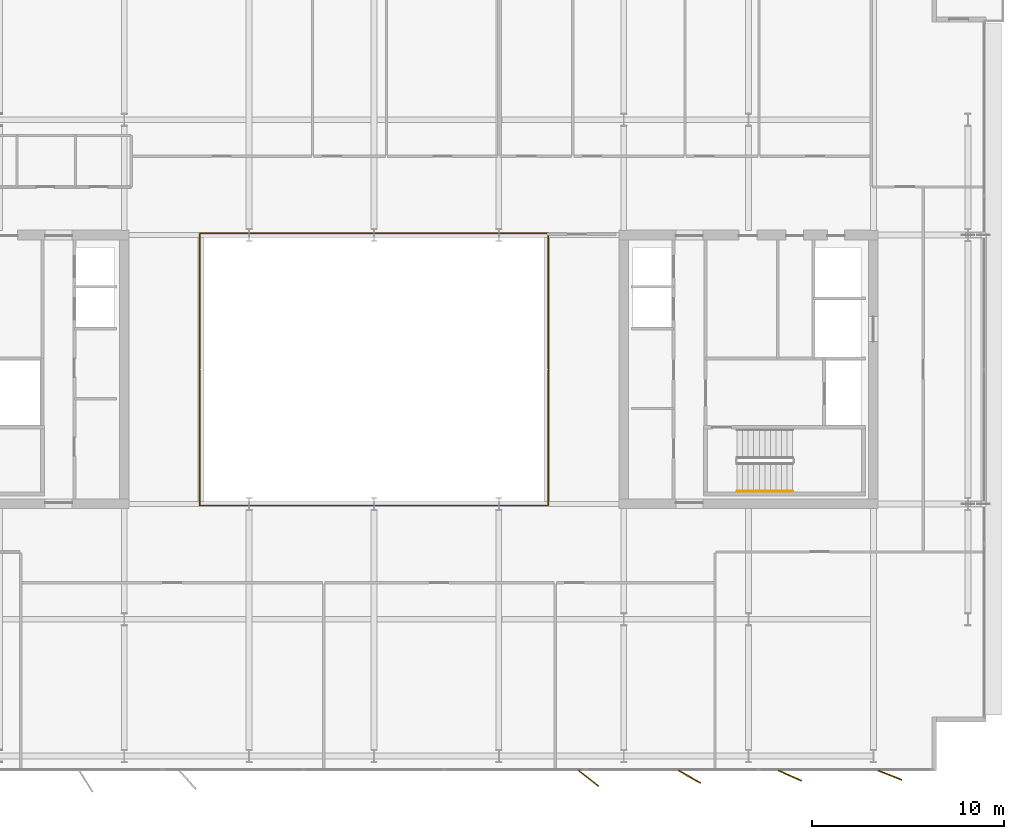
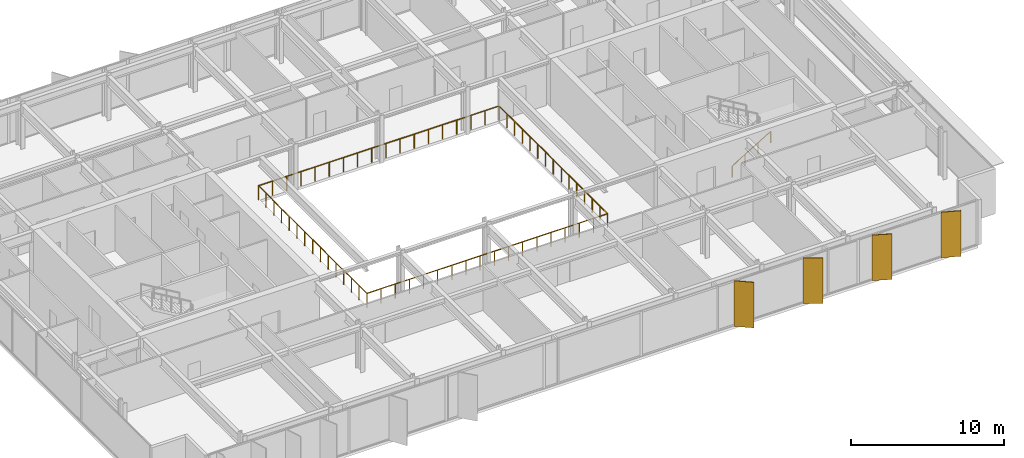
# One storey, part 17 of 19: 4 shading devices, 3 railings.
"""IFC4 building model written with IfcOpenShell, lengths in metres."""

from ifc_helpers import new_model, si_unit, direction, frame, origin, origin_2d, place, context, subcontext, project, spatial, rectangle, circle, extrude, material, layer, layer_set, type_object, element, save


model = new_model("IFC4")

# Units and contexts
model_context = context("Model", 3, precision=1e-05, world=origin(), true_north=direction((0.0, 1.0)))
body_context = subcontext(model_context, "Body", "Model", "MODEL_VIEW")
ifc_project = project(units=[si_unit("LENGTHUNIT", "METRE"), si_unit("AREAUNIT", "SQUARE_METRE"), si_unit("VOLUMEUNIT", "CUBIC_METRE"), si_unit("PLANEANGLEUNIT", "RADIAN"), si_unit("MASSUNIT", "GRAM", prefix="KILO")], contexts=[model_context])

# Site, building, storey
site_placement = place(None, origin())
site = spatial("IfcSite", under=ifc_project, at=site_placement, CompositionType="ELEMENT")
building_placement = place(site_placement, origin())
building = spatial("IfcBuilding", under=site, at=building_placement, Name="Putna Gate Headquarters", CompositionType="ELEMENT")
storey_placement = place(building_placement, frame((0.0, 0.0, 259.39990234375)))
storey = spatial("IfcBuildingStorey", under=building, at=storey_placement, Name="L65", CompositionType="ELEMENT", Elevation=259.39990234375)

# Railings
ifc_material_1 = material(Name="Anodised bronze and laminated glass atrium balustrade", Category="glass")
railing_type_1 = type_object("IfcRailingType", Name="RAIL-ATRIUM-GUARD-1150", PredefinedType="GUARDRAIL", material=ifc_material_1)
railing_1_placement = place(storey_placement, frame((29.919921875, 25.969970703125, 0.0)))
element("IfcRailing", 1, at=railing_1_placement, inside=storey, type_object=railing_type_1, Name="L65 Central Atrium Glazed Balustrade South", PredefinedType="GUARDRAIL", context=body_context, shape_type="SweptSolid", body=[
    extrude(circle(Radius=0.02392578125, at=origin_2d()), frame((0.0, 0.0, 1.1259765625), z_axis=(0.0, -1.0, 0.0), x_axis=(1.0, 0.0, 0.0)), (0.0, 0.0, 1.0), 7.050048828125),
    extrude(circle(Radius=0.02392578125, at=origin_2d()), frame((0.0, -7.050048828125, 1.1259765625), z_axis=(1.0, 0.0, 0.0), x_axis=(0.0, 1.0, 0.0)), (0.0, 0.0, 1.0), 18.16015625),
    extrude(circle(Radius=0.02392578125, at=origin_2d()), frame((18.16015625, -7.050048828125, 1.1259765625), z_axis=(0.0, 1.0, 0.0), x_axis=(-1.0, 0.0, 0.0)), (0.0, 0.0, 1.0), 7.050048828125),
    extrude(circle(Radius=0.02099609375, at=origin_2d()), origin(), (0.0, 0.0, 1.0), 1.101806640625),
    extrude(circle(Radius=0.02099609375, at=origin_2d()), frame((0.0, -1.007080078125, 0.0)), (0.0, 0.0, 1.0), 1.101806640625),
    extrude(circle(Radius=0.02099609375, at=origin_2d()), frame((0.0, -2.014404296875, 0.0)), (0.0, 0.0, 1.0), 1.101806640625),
    extrude(circle(Radius=0.02099609375, at=origin_2d()), frame((0.0, -3.021484375, 0.0)), (0.0, 0.0, 1.0), 1.101806640625),
    extrude(circle(Radius=0.02099609375, at=origin_2d()), frame((0.0, -4.028564453125, 0.0)), (0.0, 0.0, 1.0), 1.101806640625),
    extrude(circle(Radius=0.02099609375, at=origin_2d()), frame((0.0, -5.03564453125, 0.0)), (0.0, 0.0, 1.0), 1.101806640625),
    extrude(circle(Radius=0.02099609375, at=origin_2d()), frame((0.0, -6.04296875, 0.0)), (0.0, 0.0, 1.0), 1.101806640625),
    extrude(circle(Radius=0.02099609375, at=origin_2d()), frame((0.0, -7.050048828125, 0.0)), (0.0, 0.0, 1.0), 1.101806640625),
    extrude(circle(Radius=0.02099609375, at=origin_2d()), frame((1.068359375, -7.050048828125, 0.0)), (0.0, 0.0, 1.0), 1.101806640625),
    extrude(circle(Radius=0.02099609375, at=origin_2d()), frame((2.136474609375, -7.050048828125, 0.0)), (0.0, 0.0, 1.0), 1.101806640625),
    extrude(circle(Radius=0.02099609375, at=origin_2d()), frame((3.204833984375, -7.050048828125, 0.0)), (0.0, 0.0, 1.0), 1.101806640625),
    extrude(circle(Radius=0.02099609375, at=origin_2d()), frame((4.27294921875, -7.050048828125, 0.0)), (0.0, 0.0, 1.0), 1.101806640625),
    extrude(circle(Radius=0.02099609375, at=origin_2d()), frame((5.34130859375, -7.050048828125, 0.0)), (0.0, 0.0, 1.0), 1.101806640625),
    extrude(circle(Radius=0.02099609375, at=origin_2d()), frame((6.409423828125, -7.050048828125, 0.0)), (0.0, 0.0, 1.0), 1.101806640625),
    extrude(circle(Radius=0.02099609375, at=origin_2d()), frame((7.477783203125, -7.050048828125, 0.0)), (0.0, 0.0, 1.0), 1.101806640625),
    extrude(circle(Radius=0.02099609375, at=origin_2d()), frame((8.5458984375, -7.050048828125, 0.0)), (0.0, 0.0, 1.0), 1.101806640625),
    extrude(circle(Radius=0.02099609375, at=origin_2d()), frame((9.6142578125, -7.050048828125, 0.0)), (0.0, 0.0, 1.0), 1.101806640625),
    extrude(circle(Radius=0.02099609375, at=origin_2d()), frame((10.682373046875, -7.050048828125, 0.0)), (0.0, 0.0, 1.0), 1.101806640625),
    extrude(circle(Radius=0.02099609375, at=origin_2d()), frame((11.750732421875, -7.050048828125, 0.0)), (0.0, 0.0, 1.0), 1.101806640625),
    extrude(circle(Radius=0.02099609375, at=origin_2d()), frame((12.81884765625, -7.050048828125, 0.0)), (0.0, 0.0, 1.0), 1.101806640625),
    extrude(circle(Radius=0.02099609375, at=origin_2d()), frame((13.88720703125, -7.050048828125, 0.0)), (0.0, 0.0, 1.0), 1.101806640625),
    extrude(circle(Radius=0.02099609375, at=origin_2d()), frame((14.955322265625, -7.050048828125, 0.0)), (0.0, 0.0, 1.0), 1.101806640625),
    extrude(circle(Radius=0.02099609375, at=origin_2d()), frame((16.023681640625, -7.050048828125, 0.0)), (0.0, 0.0, 1.0), 1.101806640625),
    extrude(circle(Radius=0.02099609375, at=origin_2d()), frame((17.091796875, -7.050048828125, 0.0)), (0.0, 0.0, 1.0), 1.101806640625),
    extrude(circle(Radius=0.02099609375, at=origin_2d()), frame((18.16015625, -7.050048828125, 0.0)), (0.0, 0.0, 1.0), 1.101806640625),
    extrude(circle(Radius=0.02099609375, at=origin_2d()), frame((18.16015625, -6.04296875, 0.0)), (0.0, 0.0, 1.0), 1.101806640625),
    extrude(circle(Radius=0.02099609375, at=origin_2d()), frame((18.16015625, -5.03564453125, 0.0)), (0.0, 0.0, 1.0), 1.101806640625),
    extrude(circle(Radius=0.02099609375, at=origin_2d()), frame((18.16015625, -4.028564453125, 0.0)), (0.0, 0.0, 1.0), 1.101806640625),
    extrude(circle(Radius=0.02099609375, at=origin_2d()), frame((18.16015625, -3.021484375, 0.0)), (0.0, 0.0, 1.0), 1.101806640625),
    extrude(circle(Radius=0.02099609375, at=origin_2d()), frame((18.16015625, -2.014404296875, 0.0)), (0.0, 0.0, 1.0), 1.101806640625),
    extrude(circle(Radius=0.02099609375, at=origin_2d()), frame((18.16015625, -1.007080078125, 0.0)), (0.0, 0.0, 1.0), 1.101806640625),
    extrude(circle(Radius=0.02099609375, at=origin_2d()), frame((18.16015625, 0.0, 0.0)), (0.0, 0.0, 1.0), 1.101806640625),
])
railing_2_placement = place(storey_placement, frame((48.080078125, 26.030029296875, 0.0)))
element("IfcRailing", 2, at=railing_2_placement, inside=storey, type_object=railing_type_1, Name="L65 Central Atrium Glazed Balustrade North", PredefinedType="GUARDRAIL", context=body_context, shape_type="SweptSolid", body=[
    extrude(circle(Radius=0.02392578125, at=origin_2d()), frame((0.0, 0.0, 1.1259765625), z_axis=(0.0, 1.0, 0.0), x_axis=(-1.0, 0.0, 0.0)), (0.0, 0.0, 1.0), 7.050048828125),
    extrude(circle(Radius=0.02392578125, at=origin_2d()), frame((0.0, 7.050048828125, 1.1259765625), z_axis=(-1.0, 0.0, 0.0), x_axis=(0.0, -1.0, 0.0)), (0.0, 0.0, 1.0), 18.16015625),
    extrude(circle(Radius=0.02392578125, at=origin_2d()), frame((-18.16015625, 7.050048828125, 1.1259765625), z_axis=(0.0, -1.0, 0.0), x_axis=(1.0, 0.0, 0.0)), (0.0, 0.0, 1.0), 7.050048828125),
    extrude(circle(Radius=0.02099609375, at=origin_2d()), origin(), (0.0, 0.0, 1.0), 1.101806640625),
    extrude(circle(Radius=0.02099609375, at=origin_2d()), frame((0.0, 1.007080078125, 0.0)), (0.0, 0.0, 1.0), 1.101806640625),
    extrude(circle(Radius=0.02099609375, at=origin_2d()), frame((0.0, 2.014404296875, 0.0)), (0.0, 0.0, 1.0), 1.101806640625),
    extrude(circle(Radius=0.02099609375, at=origin_2d()), frame((0.0, 3.021484375, 0.0)), (0.0, 0.0, 1.0), 1.101806640625),
    extrude(circle(Radius=0.02099609375, at=origin_2d()), frame((0.0, 4.028564453125, 0.0)), (0.0, 0.0, 1.0), 1.101806640625),
    extrude(circle(Radius=0.02099609375, at=origin_2d()), frame((0.0, 5.03564453125, 0.0)), (0.0, 0.0, 1.0), 1.101806640625),
    extrude(circle(Radius=0.02099609375, at=origin_2d()), frame((0.0, 6.04296875, 0.0)), (0.0, 0.0, 1.0), 1.101806640625),
    extrude(circle(Radius=0.02099609375, at=origin_2d()), frame((0.0, 7.050048828125, 0.0)), (0.0, 0.0, 1.0), 1.101806640625),
    extrude(circle(Radius=0.02099609375, at=origin_2d()), frame((-1.068359375, 7.050048828125, 0.0)), (0.0, 0.0, 1.0), 1.101806640625),
    extrude(circle(Radius=0.02099609375, at=origin_2d()), frame((-2.136474609375, 7.050048828125, 0.0)), (0.0, 0.0, 1.0), 1.101806640625),
    extrude(circle(Radius=0.02099609375, at=origin_2d()), frame((-3.204833984375, 7.050048828125, 0.0)), (0.0, 0.0, 1.0), 1.101806640625),
    extrude(circle(Radius=0.02099609375, at=origin_2d()), frame((-4.27294921875, 7.050048828125, 0.0)), (0.0, 0.0, 1.0), 1.101806640625),
    extrude(circle(Radius=0.02099609375, at=origin_2d()), frame((-5.34130859375, 7.050048828125, 0.0)), (0.0, 0.0, 1.0), 1.101806640625),
    extrude(circle(Radius=0.02099609375, at=origin_2d()), frame((-6.409423828125, 7.050048828125, 0.0)), (0.0, 0.0, 1.0), 1.101806640625),
    extrude(circle(Radius=0.02099609375, at=origin_2d()), frame((-7.477783203125, 7.050048828125, 0.0)), (0.0, 0.0, 1.0), 1.101806640625),
    extrude(circle(Radius=0.02099609375, at=origin_2d()), frame((-8.5458984375, 7.050048828125, 0.0)), (0.0, 0.0, 1.0), 1.101806640625),
    extrude(circle(Radius=0.02099609375, at=origin_2d()), frame((-9.6142578125, 7.050048828125, 0.0)), (0.0, 0.0, 1.0), 1.101806640625),
    extrude(circle(Radius=0.02099609375, at=origin_2d()), frame((-10.682373046875, 7.050048828125, 0.0)), (0.0, 0.0, 1.0), 1.101806640625),
    extrude(circle(Radius=0.02099609375, at=origin_2d()), frame((-11.750732421875, 7.050048828125, 0.0)), (0.0, 0.0, 1.0), 1.101806640625),
    extrude(circle(Radius=0.02099609375, at=origin_2d()), frame((-12.81884765625, 7.050048828125, 0.0)), (0.0, 0.0, 1.0), 1.101806640625),
    extrude(circle(Radius=0.02099609375, at=origin_2d()), frame((-13.88720703125, 7.050048828125, 0.0)), (0.0, 0.0, 1.0), 1.101806640625),
    extrude(circle(Radius=0.02099609375, at=origin_2d()), frame((-14.955322265625, 7.050048828125, 0.0)), (0.0, 0.0, 1.0), 1.101806640625),
    extrude(circle(Radius=0.02099609375, at=origin_2d()), frame((-16.023681640625, 7.050048828125, 0.0)), (0.0, 0.0, 1.0), 1.101806640625),
    extrude(circle(Radius=0.02099609375, at=origin_2d()), frame((-17.091796875, 7.050048828125, 0.0)), (0.0, 0.0, 1.0), 1.101806640625),
    extrude(circle(Radius=0.02099609375, at=origin_2d()), frame((-18.16015625, 7.050048828125, 0.0)), (0.0, 0.0, 1.0), 1.101806640625),
    extrude(circle(Radius=0.02099609375, at=origin_2d()), frame((-18.16015625, 6.04296875, 0.0)), (0.0, 0.0, 1.0), 1.101806640625),
    extrude(circle(Radius=0.02099609375, at=origin_2d()), frame((-18.16015625, 5.03564453125, 0.0)), (0.0, 0.0, 1.0), 1.101806640625),
    extrude(circle(Radius=0.02099609375, at=origin_2d()), frame((-18.16015625, 4.028564453125, 0.0)), (0.0, 0.0, 1.0), 1.101806640625),
    extrude(circle(Radius=0.02099609375, at=origin_2d()), frame((-18.16015625, 3.021484375, 0.0)), (0.0, 0.0, 1.0), 1.101806640625),
    extrude(circle(Radius=0.02099609375, at=origin_2d()), frame((-18.16015625, 2.014404296875, 0.0)), (0.0, 0.0, 1.0), 1.101806640625),
    extrude(circle(Radius=0.02099609375, at=origin_2d()), frame((-18.16015625, 1.007080078125, 0.0)), (0.0, 0.0, 1.0), 1.101806640625),
    extrude(circle(Radius=0.02099609375, at=origin_2d()), frame((-18.16015625, 0.0, 0.0)), (0.0, 0.0, 1.0), 1.101806640625),
])
ifc_material_2 = material(Name="Brushed stainless steel handrail", Category="steel")
railing_type_2 = type_object("IfcRailingType", Name="RAIL-STAIR-HAND-900", PredefinedType="HANDRAIL", material=ifc_material_2)
railing_3_placement = place(storey_placement, frame((57.89990234375, 19.64990234375, 0.1728515625)))
element("IfcRailing", 3, at=railing_3_placement, inside=storey, type_object=railing_type_2, Name="L65 ST2 stair handrail 1", PredefinedType="HANDRAIL", context=body_context, shape_type="SweptSolid", body=[
    extrude(circle(Radius=0.02392578125, at=origin_2d()), frame((0.0, 0.0, 0.8759765625), z_axis=(0.859160404282, 0.0, 0.51170636083), x_axis=(0.0, 1.0, 0.0)), (0.0, 0.0, 1.0), 3.37548828125),
    extrude(circle(Radius=0.02099609375, at=origin_2d()), origin(), (0.0, 0.0, 1.0), 0.851806640625),
    extrude(circle(Radius=0.02099609375, at=origin_2d()), frame((0.966796875, 0.0, 0.57568359375)), (0.0, 0.0, 1.0), 0.851806640625),
    extrude(circle(Radius=0.02099609375, at=origin_2d()), frame((1.933349609375, 0.0, 1.151611328125)), (0.0, 0.0, 1.0), 0.851806640625),
    extrude(circle(Radius=0.02099609375, at=origin_2d()), frame((2.900146484375, 0.0, 1.727294921875)), (0.0, 0.0, 1.0), 0.851806640625),
])

# Shading devices
ifc_material_3 = material(Name="Anodised architectural bronze aluminium fin", Category="aluminium")
ifc_layer = layer(ifc_material_3, 0.06494140625)
ifc_layer_set = layer_set([ifc_layer], Name="Anodised architectural bronze aluminium fin")
shading_device_type = type_object("IfcShadingDeviceType", Name="SHADE-BRONZE-FIN-1320", PredefinedType="USERDEFINED", material=ifc_layer_set)
for number, where, z_axis, x_axis, name in (
    (4, (50.169677734375, 4.71826171875, -0.019775390625), (0.0, 0.0, 1.0), (0.787473187632, -0.616348909921, 0.0), "L65 Bronze Vertical Shading Fin S7"),
    (5, (55.423828125, 4.798828125, -0.019775390625), (0.0, 0.0, 1.0), (0.869322458298, -0.494245347472, 0.0), "L65 Bronze Vertical Shading Fin S8"),
    (6, (60.653076171875, 4.856689453125, -0.019775390625), (0.0, 0.0, 1.0), (0.913687379856, -0.40641773078, 0.0), "L65 Bronze Vertical Shading Fin S9"),
    (7, (65.86181640625, 4.877685546875, -0.019775390625), (0.0, 0.0, 1.0), (0.927183854567, -0.374606593416, 0.0), "L65 Bronze Vertical Shading Fin S10"),
):
    element("IfcShadingDevice", number, at=place(storey_placement, frame(where, z_axis=z_axis, x_axis=x_axis)), inside=storey, type_object=shading_device_type, Name=name, ObjectType="FIN", PredefinedType="USERDEFINED", context=body_context, shape_type="SweptSolid", body=[
        extrude(rectangle(XDim=1.320068359375, YDim=0.06494140625, at=origin_2d()), origin(), (0.0, 0.0, 1.0), 3.6279296875),
    ])

save(model, "model.ifc")
